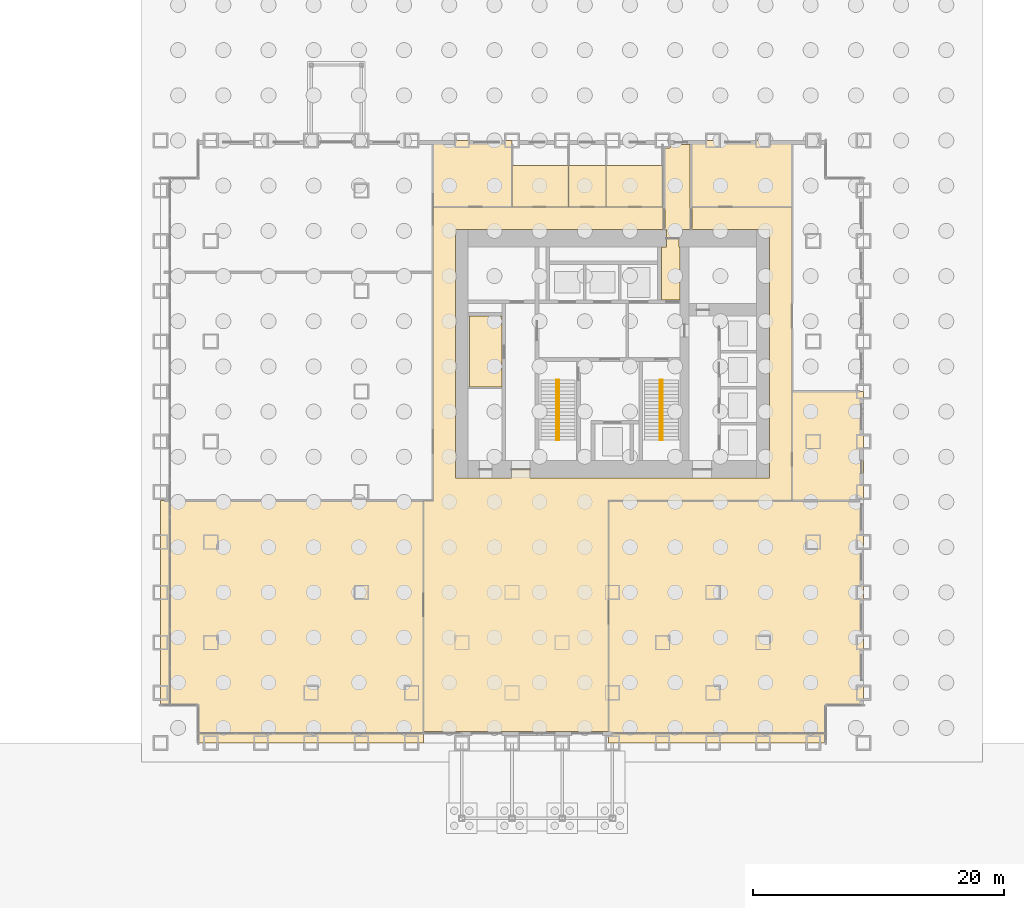
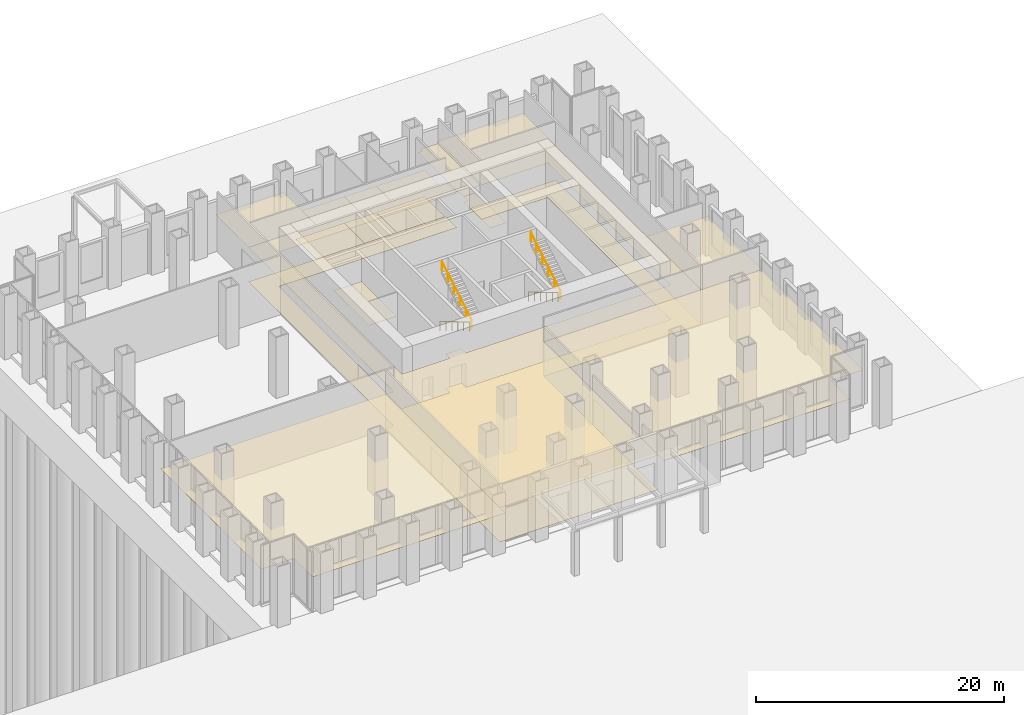
# One storey, part 16 of 17: 16 coverings, 4 railings.
"""IFC4 building model written with IfcOpenShell, lengths in metres."""

from ifc_helpers import new_model, si_unit, direction, frame, origin, origin_2d, place, context, subcontext, project, spatial, polyline, circle, outline, extrude, material, layer, layer_set, type_object, element, save


model = new_model("IFC4")

# Units and contexts
model_context = context("Model", 3, precision=1e-05, world=origin(), true_north=direction((0.0, 1.0)))
body_context = subcontext(model_context, "Body", "Model", "MODEL_VIEW")
ifc_project = project(units=[si_unit("LENGTHUNIT", "METRE"), si_unit("AREAUNIT", "SQUARE_METRE"), si_unit("VOLUMEUNIT", "CUBIC_METRE"), si_unit("PLANEANGLEUNIT", "RADIAN"), si_unit("MASSUNIT", "GRAM", prefix="KILO")], contexts=[model_context])

# Site, building, storey
site_placement = place(None, origin())
site = spatial("IfcSite", under=ifc_project, at=site_placement, CompositionType="ELEMENT")
building_placement = place(site_placement, origin())
building = spatial("IfcBuilding", under=site, at=building_placement, Name="Rimbunsela Tower", CompositionType="ELEMENT")
storey_placement = place(building_placement, origin())
storey = spatial("IfcBuildingStorey", under=building, at=storey_placement, Name="L00", CompositionType="ELEMENT", Elevation=0.0)

# Coverings
ifc_material_1 = material(Name="Mineral fibre ceiling tile", Category="gypsum")
ifc_layer_1 = layer(ifc_material_1, 0.02001953125)
ifc_layer_set_1 = layer_set([ifc_layer_1], Name="Ceiling 600 grid")
covering_type_1 = type_object("IfcCoveringType", Name="Ceiling 600 grid", PredefinedType="CEILING", material=ifc_layer_set_1)
covering_1_placement = place(storey_placement, frame((0.0, 0.0, 3.39990234375)))
element("IfcCovering", 1, at=covering_1_placement, inside=storey, type_object=covering_type_1, Name="Ceiling IT room", PredefinedType="CEILING", context=body_context, shape_type="SweptSolid", body=[
    extrude(outline(polyline([(21.199951171875, 24.35009765625), (21.199951171875, 30.0), (18.60009765625, 30.0), (18.60009765625, 24.35009765625), (21.199951171875, 24.35009765625)])), origin(), (0.0, 0.0, 1.0), 0.02001953125),
])
covering_2_placement = place(storey_placement, frame((0.0, 0.0, 3.39990234375)))
element("IfcCovering", 2, at=covering_2_placement, inside=storey, type_object=covering_type_1, Name="Ceiling Bank branch", PredefinedType="CEILING", context=body_context, shape_type="SweptSolid", body=[
    extrude(outline(polyline([(-3.0, -4.0), (-3.0, -1.0), (-6.0, -1.0), (-6.0, 15.300048828125), (14.95703125, 15.300048828125), (14.95703125, -4.0), (-3.0, -4.0)])), origin(), (0.0, 0.0, 1.0), 0.02001953125),
])
covering_3_placement = place(storey_placement, frame((0.0, 0.0, 3.39990234375)))
element("IfcCovering", 3, at=covering_3_placement, inside=storey, type_object=covering_type_1, Name="Ceiling Building management office", PredefinedType="CEILING", context=body_context, shape_type="SweptSolid", body=[
    extrude(outline(polyline([(50.0, -1.0), (47.0, -1.0), (47.0, -4.0), (29.699951171875, -4.0), (29.699951171875, 15.300048828125), (50.0, 15.300048828125), (50.0, -1.0)])), origin(), (0.0, 0.0, 1.0), 0.02001953125),
])
covering_4_placement = place(storey_placement, frame((0.0, 0.0, 3.39990234375)))
element("IfcCovering", 4, at=covering_4_placement, inside=storey, type_object=covering_type_1, Name="Ceiling Mail and parcel room", PredefinedType="CEILING", context=body_context, shape_type="SweptSolid", body=[
    extrude(outline(polyline([(22.0, 44.0), (22.0, 38.699951171875), (15.699951171875, 38.699951171875), (15.699951171875, 44.0), (22.0, 44.0)])), origin(), (0.0, 0.0, 1.0), 0.02001953125),
])
covering_5_placement = place(storey_placement, frame((0.0, 0.0, 3.39990234375)))
element("IfcCovering", 5, at=covering_5_placement, inside=storey, type_object=covering_type_1, Name="Ceiling Security office", PredefinedType="CEILING", context=body_context, shape_type="SweptSolid", body=[
    extrude(outline(polyline([(44.300048828125, 44.0), (44.300048828125, 38.699951171875), (36.35009765625, 38.699951171875), (36.35009765625, 44.0), (44.300048828125, 44.0)])), origin(), (0.0, 0.0, 1.0), 0.02001953125),
])
covering_6_placement = place(storey_placement, frame((0.0, 0.0, 3.39990234375)))
element("IfcCovering", 6, at=covering_6_placement, inside=storey, type_object=covering_type_1, Name="Ceiling Exit passage", PredefinedType="CEILING", context=body_context, shape_type="SweptSolid", body=[
    extrude(outline(polyline([(35.39990234375, 35.5), (35.39990234375, 31.300048828125), (33.89990234375, 31.300048828125), (33.89990234375, 35.5), (34.300048828125, 35.5), (34.300048828125, 36.199951171875), (35.300048828125, 36.199951171875), (35.300048828125, 35.5), (35.39990234375, 35.5)])), origin(), (0.0, 0.0, 1.0), 0.02001953125),
])
covering_7_placement = place(storey_placement, frame((0.0, 0.0, 3.39990234375)))
element("IfcCovering", 7, at=covering_7_placement, inside=storey, type_object=covering_type_1, Name="Ceiling Exit passage", PredefinedType="CEILING", context=body_context, shape_type="SweptSolid", body=[
    extrude(outline(polyline([(35.300048828125, 36.199951171875), (34.300048828125, 36.199951171875), (34.300048828125, 36.89990234375), (34.199951171875, 36.89990234375), (34.199951171875, 43.39990234375), (34.60009765625, 43.39990234375), (34.60009765625, 43.699951171875), (36.199951171875, 43.699951171875), (36.199951171875, 36.89990234375), (35.300048828125, 36.89990234375), (35.300048828125, 36.199951171875)])), origin(), (0.0, 0.0, 1.0), 0.02001953125),
])
covering_8_placement = place(storey_placement, frame((0.0, 0.0, 3.39990234375)))
element("IfcCovering", 8, at=covering_8_placement, inside=storey, type_object=covering_type_1, Name="Ceiling Fire command centre", PredefinedType="CEILING", context=body_context, shape_type="SweptSolid", body=[
    extrude(outline(polyline([(50.0, 15.300048828125), (44.300048828125, 15.300048828125), (44.300048828125, 24.0), (50.0, 24.0), (50.0, 15.300048828125)])), origin(), (0.0, 0.0, 1.0), 0.02001953125),
])
ifc_material_2 = material(Name="Moisture-resistant plasterboard ceiling", Category="gypsum")
ifc_layer_2 = layer(ifc_material_2, 0.012451171875)
ifc_layer_set_2 = layer_set([ifc_layer_2], Name="Ceiling moisture-resistant board")
covering_type_2 = type_object("IfcCoveringType", Name="Ceiling moisture-resistant board", PredefinedType="CEILING", material=ifc_layer_set_2)
covering_9_placement = place(storey_placement, frame((0.0, 0.0, 2.60009765625)))
element("IfcCovering", 9, at=covering_9_placement, inside=storey, type_object=covering_type_2, Name="Ceiling Female WC", PredefinedType="CEILING", context=body_context, shape_type="SweptSolid", body=[
    extrude(outline(polyline([(26.5, 38.699951171875), (26.5, 42.0), (22.0, 42.0), (22.0, 38.699951171875), (26.5, 38.699951171875)])), origin(), (0.0, 0.0, 1.0), 0.02001953125),
])
covering_10_placement = place(storey_placement, frame((0.0, 0.0, 2.60009765625)))
element("IfcCovering", 10, at=covering_10_placement, inside=storey, type_object=covering_type_2, Name="Ceiling Accessible WC", PredefinedType="CEILING", context=body_context, shape_type="SweptSolid", body=[
    extrude(outline(polyline([(29.5, 38.699951171875), (29.5, 42.0), (26.5, 42.0), (26.5, 38.699951171875), (29.5, 38.699951171875)])), origin(), (0.0, 0.0, 1.0), 0.02001953125),
])
covering_11_placement = place(storey_placement, frame((0.0, 0.0, 2.60009765625)))
element("IfcCovering", 11, at=covering_11_placement, inside=storey, type_object=covering_type_2, Name="Ceiling Male WC", PredefinedType="CEILING", context=body_context, shape_type="SweptSolid", body=[
    extrude(outline(polyline([(34.0, 38.699951171875), (34.0, 42.0), (29.5, 42.0), (29.5, 38.699951171875), (34.0, 38.699951171875)])), origin(), (0.0, 0.0, 1.0), 0.02001953125),
])
ifc_material_3 = material(Name="Timber slat ceiling on suspension grid", Category="wood")
ifc_layer_3 = layer(ifc_material_3, 0.0400390625)
ifc_layer_set_3 = layer_set([ifc_layer_3], Name="Ceiling timber slat")
covering_type_3 = type_object("IfcCoveringType", Name="Ceiling timber slat", PredefinedType="CEILING", material=ifc_layer_set_3)
covering_12_placement = place(storey_placement, frame((0.0, 0.0, 3.39990234375)))
element("IfcCovering", 12, at=covering_12_placement, inside=storey, type_object=covering_type_3, Name="Ceiling Entrance lobby", PredefinedType="CEILING", context=body_context, shape_type="SweptSolid", body=[
    extrude(outline(polyline([(21.949951171875, 17.800048828125), (23.449951171875, 17.800048828125), (23.449951171875, 17.10009765625), (42.5, 17.10009765625), (42.5, 36.89990234375), (36.35009765625, 36.89990234375), (36.35009765625, 38.699951171875), (44.300048828125, 38.699951171875), (44.300048828125, 15.300048828125), (29.699951171875, 15.300048828125), (29.699951171875, -3.10009765625), (14.95703125, -3.10009765625), (14.95703125, 15.300048828125), (15.699951171875, 15.300048828125), (15.699951171875, 38.699951171875), (34.050048828125, 38.699951171875), (34.050048828125, 36.89990234375), (17.5, 36.89990234375), (17.5, 17.10009765625), (21.949951171875, 17.10009765625), (21.949951171875, 17.800048828125)])), origin(), (0.0, 0.0, 1.0), 0.02001953125),
])
ifc_material_4 = material(Name="Honed granite floor on mortar bed", Category="masonry")
ifc_layer_4 = layer(ifc_material_4, 0.030029296875)
ifc_layer_set_4 = layer_set([ifc_layer_4], Name="Granite floor 30")
covering_type_4 = type_object("IfcCoveringType", Name="Granite floor 30", PredefinedType="FLOORING", material=ifc_layer_set_4)
covering_13_placement = place(storey_placement, origin())
element("IfcCovering", 13, at=covering_13_placement, inside=storey, type_object=covering_type_4, Name="Floor finish Entrance lobby", PredefinedType="FLOORING", context=body_context, shape_type="SweptSolid", body=[
    extrude(outline(polyline([(21.949951171875, 17.800048828125), (23.449951171875, 17.800048828125), (23.449951171875, 17.10009765625), (42.5, 17.10009765625), (42.5, 36.89990234375), (36.35009765625, 36.89990234375), (36.35009765625, 38.699951171875), (44.300048828125, 38.699951171875), (44.300048828125, 15.300048828125), (29.699951171875, 15.300048828125), (29.699951171875, -3.10009765625), (14.95703125, -3.10009765625), (14.95703125, 15.300048828125), (15.699951171875, 15.300048828125), (15.699951171875, 38.699951171875), (34.050048828125, 38.699951171875), (34.050048828125, 36.89990234375), (17.5, 36.89990234375), (17.5, 17.10009765625), (21.949951171875, 17.10009765625), (21.949951171875, 17.800048828125)])), origin(), (0.0, 0.0, 1.0), 0.030029296875),
])
ifc_material_5 = material(Name="Porcelain floor tile in adhesive bed", Category="ceramic")
ifc_layer_5 = layer(ifc_material_5, 0.02001953125)
ifc_layer_set_5 = layer_set([ifc_layer_5], Name="Porcelain tile 20")
covering_type_5 = type_object("IfcCoveringType", Name="Porcelain tile 20", PredefinedType="FLOORING", material=ifc_layer_set_5)
covering_14_placement = place(storey_placement, origin())
element("IfcCovering", 14, at=covering_14_placement, inside=storey, type_object=covering_type_5, Name="Floor finish Female WC", PredefinedType="FLOORING", context=body_context, shape_type="SweptSolid", body=[
    extrude(outline(polyline([(26.5, 38.699951171875), (26.5, 42.0), (22.0, 42.0), (22.0, 38.699951171875), (26.5, 38.699951171875)])), origin(), (0.0, 0.0, 1.0), 0.02001953125),
])
covering_15_placement = place(storey_placement, origin())
element("IfcCovering", 15, at=covering_15_placement, inside=storey, type_object=covering_type_5, Name="Floor finish Accessible WC", PredefinedType="FLOORING", context=body_context, shape_type="SweptSolid", body=[
    extrude(outline(polyline([(29.5, 38.699951171875), (29.5, 42.0), (26.5, 42.0), (26.5, 38.699951171875), (29.5, 38.699951171875)])), origin(), (0.0, 0.0, 1.0), 0.02001953125),
])
covering_16_placement = place(storey_placement, origin())
element("IfcCovering", 16, at=covering_16_placement, inside=storey, type_object=covering_type_5, Name="Floor finish Male WC", PredefinedType="FLOORING", context=body_context, shape_type="SweptSolid", body=[
    extrude(outline(polyline([(34.0, 38.699951171875), (34.0, 42.0), (29.5, 42.0), (29.5, 38.699951171875), (34.0, 38.699951171875)])), origin(), (0.0, 0.0, 1.0), 0.02001953125),
])

# Railings
ifc_material_6 = material(Name="Stainless steel tube", Category="steel")
railing_type = type_object("IfcRailingType", Name="Stair handrail 900", PredefinedType="HANDRAIL", material=ifc_material_6)
railing_1_placement = place(storey_placement, frame((25.550048828125, 24.89990234375, 0.166748046875)))
element("IfcRailing", 17, at=railing_1_placement, inside=storey, type_object=railing_type, Name="Handrail ST-A flight 1", PredefinedType="HANDRAIL", context=body_context, shape_type="SweptSolid", body=[
    extrude(circle(Radius=0.02392578125, at=origin_2d()), frame((0.0, 0.0, 0.8759765625), z_axis=(0.0, -0.859299802514, 0.511472237174), x_axis=(1.0, 0.0, 0.0)), (0.0, 0.0, 1.0), 5.539306640625),
    extrude(circle(Radius=0.02099609375, at=origin_2d()), origin(), (0.0, 0.0, 1.0), 0.851806640625),
    extrude(circle(Radius=0.02099609375, at=origin_2d()), frame((0.0, -0.951904296875, 0.566650390625)), (0.0, 0.0, 1.0), 0.851806640625),
    extrude(circle(Radius=0.02099609375, at=origin_2d()), frame((0.0, -1.904052734375, 1.13330078125)), (0.0, 0.0, 1.0), 0.851806640625),
    extrude(circle(Radius=0.02099609375, at=origin_2d()), frame((0.0, -2.85595703125, 1.699951171875)), (0.0, 0.0, 1.0), 0.851806640625),
    extrude(circle(Radius=0.02099609375, at=origin_2d()), frame((0.0, -3.80810546875, 2.2666015625)), (0.0, 0.0, 1.0), 0.851806640625),
    extrude(circle(Radius=0.02099609375, at=origin_2d()), frame((0.0, -4.760009765625, 2.833251953125)), (0.0, 0.0, 1.0), 0.851806640625),
])
railing_2_placement = place(storey_placement, frame((25.75, 20.139892578125, 3.166748046875)))
element("IfcRailing", 18, at=railing_2_placement, inside=storey, type_object=railing_type, Name="Handrail ST-A flight 2", PredefinedType="HANDRAIL", context=body_context, shape_type="SweptSolid", body=[
    extrude(circle(Radius=0.02392578125, at=origin_2d()), frame((0.0, 0.0, 0.8759765625), z_axis=(0.0, 0.859299802514, 0.511472237174), x_axis=(-1.0, 0.0, 0.0)), (0.0, 0.0, 1.0), 5.539306640625),
    extrude(circle(Radius=0.02099609375, at=origin_2d()), origin(), (0.0, 0.0, 1.0), 0.851806640625),
    extrude(circle(Radius=0.02099609375, at=origin_2d()), frame((0.0, 0.951904296875, 0.566650390625)), (0.0, 0.0, 1.0), 0.851806640625),
    extrude(circle(Radius=0.02099609375, at=origin_2d()), frame((0.0, 1.904052734375, 1.13330078125)), (0.0, 0.0, 1.0), 0.851806640625),
    extrude(circle(Radius=0.02099609375, at=origin_2d()), frame((0.0, 2.85595703125, 1.699951171875)), (0.0, 0.0, 1.0), 0.851806640625),
    extrude(circle(Radius=0.02099609375, at=origin_2d()), frame((0.0, 3.80810546875, 2.2666015625)), (0.0, 0.0, 1.0), 0.851806640625),
    extrude(circle(Radius=0.02099609375, at=origin_2d()), frame((0.0, 4.760009765625, 2.833251953125)), (0.0, 0.0, 1.0), 0.851806640625),
])
railing_3_placement = place(storey_placement, frame((33.800048828125, 24.89990234375, 0.166748046875)))
element("IfcRailing", 19, at=railing_3_placement, inside=storey, type_object=railing_type, Name="Handrail ST-B flight 1", PredefinedType="HANDRAIL", context=body_context, shape_type="SweptSolid", body=[
    extrude(circle(Radius=0.02392578125, at=origin_2d()), frame((0.0, 0.0, 0.8759765625), z_axis=(0.0, -0.859299802514, 0.511472237174), x_axis=(1.0, 0.0, 0.0)), (0.0, 0.0, 1.0), 5.539306640625),
    extrude(circle(Radius=0.02099609375, at=origin_2d()), origin(), (0.0, 0.0, 1.0), 0.851806640625),
    extrude(circle(Radius=0.02099609375, at=origin_2d()), frame((0.0, -0.951904296875, 0.566650390625)), (0.0, 0.0, 1.0), 0.851806640625),
    extrude(circle(Radius=0.02099609375, at=origin_2d()), frame((0.0, -1.904052734375, 1.13330078125)), (0.0, 0.0, 1.0), 0.851806640625),
    extrude(circle(Radius=0.02099609375, at=origin_2d()), frame((0.0, -2.85595703125, 1.699951171875)), (0.0, 0.0, 1.0), 0.851806640625),
    extrude(circle(Radius=0.02099609375, at=origin_2d()), frame((0.0, -3.80810546875, 2.2666015625)), (0.0, 0.0, 1.0), 0.851806640625),
    extrude(circle(Radius=0.02099609375, at=origin_2d()), frame((0.0, -4.760009765625, 2.833251953125)), (0.0, 0.0, 1.0), 0.851806640625),
])
railing_4_placement = place(storey_placement, frame((34.0, 20.139892578125, 3.166748046875)))
element("IfcRailing", 20, at=railing_4_placement, inside=storey, type_object=railing_type, Name="Handrail ST-B flight 2", PredefinedType="HANDRAIL", context=body_context, shape_type="SweptSolid", body=[
    extrude(circle(Radius=0.02392578125, at=origin_2d()), frame((0.0, 0.0, 0.8759765625), z_axis=(0.0, 0.859299802514, 0.511472237174), x_axis=(-1.0, 0.0, 0.0)), (0.0, 0.0, 1.0), 5.539306640625),
    extrude(circle(Radius=0.02099609375, at=origin_2d()), origin(), (0.0, 0.0, 1.0), 0.851806640625),
    extrude(circle(Radius=0.02099609375, at=origin_2d()), frame((0.0, 0.951904296875, 0.566650390625)), (0.0, 0.0, 1.0), 0.851806640625),
    extrude(circle(Radius=0.02099609375, at=origin_2d()), frame((0.0, 1.904052734375, 1.13330078125)), (0.0, 0.0, 1.0), 0.851806640625),
    extrude(circle(Radius=0.02099609375, at=origin_2d()), frame((0.0, 2.85595703125, 1.699951171875)), (0.0, 0.0, 1.0), 0.851806640625),
    extrude(circle(Radius=0.02099609375, at=origin_2d()), frame((0.0, 3.80810546875, 2.2666015625)), (0.0, 0.0, 1.0), 0.851806640625),
    extrude(circle(Radius=0.02099609375, at=origin_2d()), frame((0.0, 4.760009765625, 2.833251953125)), (0.0, 0.0, 1.0), 0.851806640625),
])

save(model, "model.ifc")
